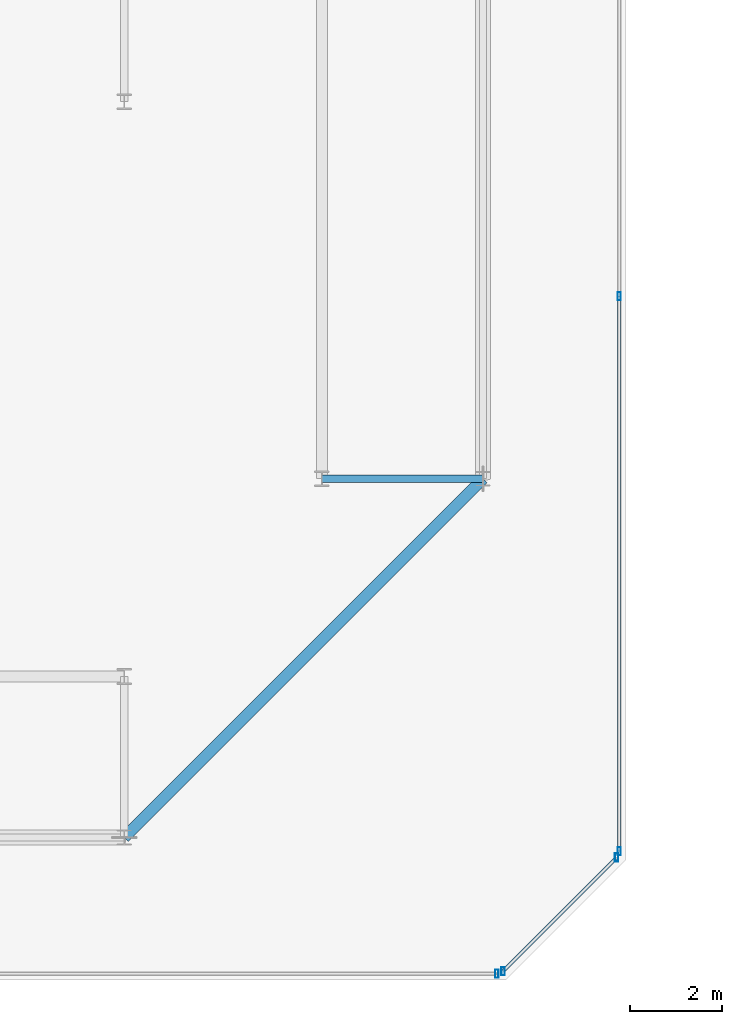
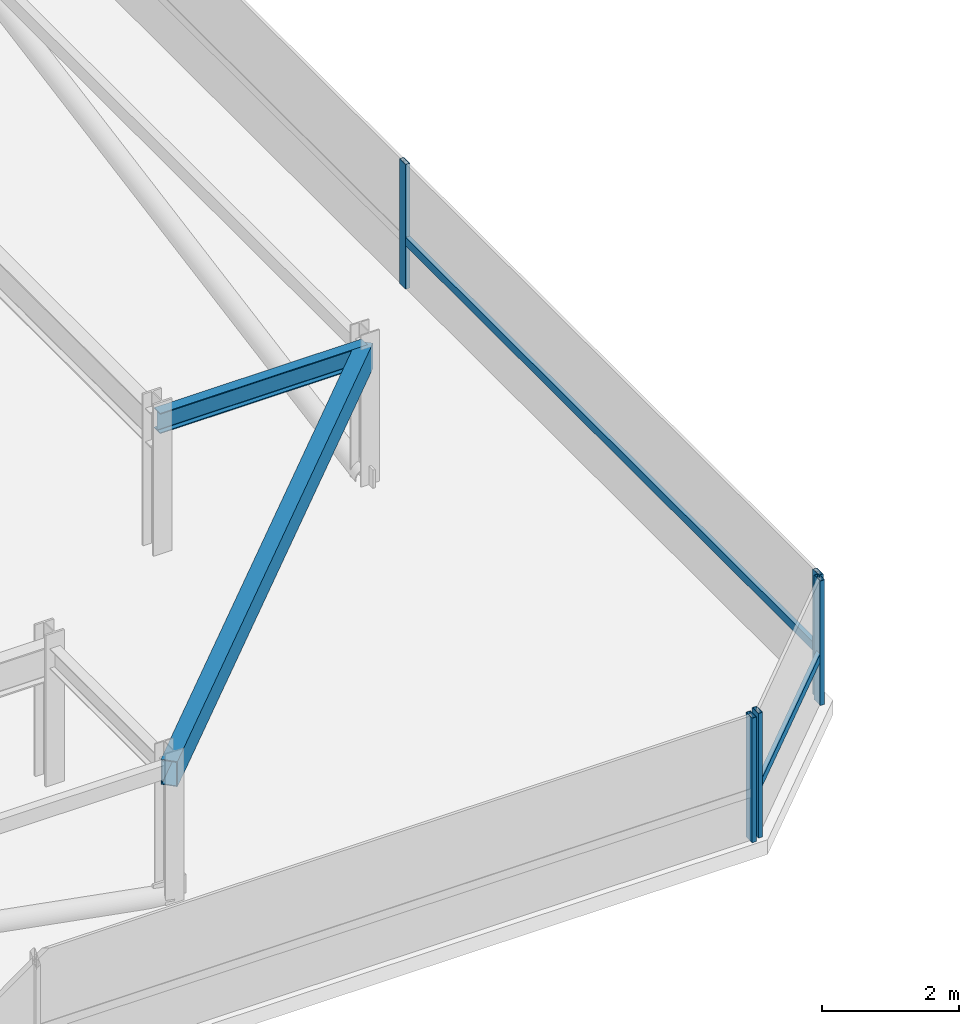
# One storey, part 16 of 42: 7 members, 2 beams, 3 elements without a shape of their own.
"""IFC4 building model written with IfcOpenShell, lengths in metres."""

from ifc_helpers import new_model, si_unit, direction, frame, origin, origin_2d, place, context, subcontext, project, spatial, hollow_rectangle, i_section, extrude, material, material_profile, profile_set, type_object, element, aggregate, save


model = new_model("IFC4")

# Units and contexts
model_context = context("Model", 3, precision=1e-05, world=origin(), true_north=direction((0.0, 1.0)))
body_context = subcontext(model_context, "Body", "Model", "MODEL_VIEW")
ifc_project = project(units=[si_unit("LENGTHUNIT", "METRE"), si_unit("AREAUNIT", "SQUARE_METRE"), si_unit("VOLUMEUNIT", "CUBIC_METRE"), si_unit("PLANEANGLEUNIT", "RADIAN"), si_unit("MASSUNIT", "GRAM", prefix="KILO")], contexts=[model_context])

# Site, building, storey
site_placement = place(None, origin())
site = spatial("IfcSite", under=ifc_project, at=site_placement, CompositionType="ELEMENT")
building_placement = place(site_placement, origin())
building = spatial("IfcBuilding", under=site, at=building_placement, Name="Thornwick Lancets Civic Towers", CompositionType="ELEMENT")
storey_placement = place(building_placement, frame((0.0, 0.0, 284.10009765625)))
storey = spatial("IfcBuildingStorey", under=building, at=storey_placement, Name="C02", CompositionType="ELEMENT", Elevation=284.10009765625)

# Beams
ifc_material_1 = material(Name="Steel S355JR", Category="steel")
ifc_material_profile_1 = material_profile(ifc_material_1, i_section(OverallWidth=0.173095703125, OverallDepth=0.36328125, WebThickness=0.009033203125, FlangeThickness=0.015625, FilletRadius=0.01025390625, at=origin_2d()), Name="UKB 356x171x67")
ifc_profile_set_1 = profile_set([ifc_material_profile_1], Name="Steel S355JR")
beam_type_1 = type_object("IfcBeamType", Name="BM_JOIST_356_67", PredefinedType="JOIST", material=ifc_profile_set_1)
beam_1_placement = place(storey_placement, frame((42.800048828125, 14.0, 2.25830078125), z_axis=(1.0, 0.0, 0.0), x_axis=(0.0, 1.0, 0.0)))
element("IfcBeam", 1, at=beam_1_placement, inside=storey, type_object=beam_type_1, Name="BM-RAD-C02-A04", PredefinedType="JOIST", context=body_context, shape_type="SweptSolid", body=[
    extrude(i_section(OverallWidth=0.173095703125, OverallDepth=0.36328125, WebThickness=0.009033203125, FlangeThickness=0.015625, FilletRadius=0.01025390625, at=origin_2d()), origin(), (0.0, 0.0, 1.0), 3.5),
])
ifc_material_profile_2 = material_profile(ifc_material_1, hollow_rectangle(XDim=0.25, YDim=0.449951171875, WallThickness=0.01611328125, at=origin_2d()), Name="RHS 450x250x16")
ifc_profile_set_2 = profile_set([ifc_material_profile_2], Name="Steel S355JR")
beam_type_2 = type_object("IfcBeamType", Name="BM_RING_RHS450", PredefinedType="BEAM", material=ifc_profile_set_2)
beam_2_placement = place(storey_placement, frame((38.5, 6.199951171875, 2.21484375), z_axis=(0.707106781187, 0.707106781187, 0.0), x_axis=(-0.707106781187, 0.707106781187, 0.0)))
element("IfcBeam", 2, at=beam_2_placement, inside=storey, type_object=beam_type_2, Name="BM-CHAMF-C02-A-C0", PredefinedType="BEAM", context=body_context, shape_type="SweptSolid", body=[
    extrude(hollow_rectangle(XDim=0.25, YDim=0.449951171875, WallThickness=0.01611328125, at=origin_2d()), origin(), (0.0, 0.0, 1.0), 11.031005859375),
])

# Curtain wall, member
ifc_material_2 = material(Name="Crown ring acoustic-louvre and glazing screen wall", Category="glass")
curtain_wall_type = type_object("IfcCurtainWallType", Name="CW_SYS_07", PredefinedType="NOTDEFINED", material=ifc_material_2)
curtain_wall_1_placement = place(storey_placement, origin())
curtain_wall_1 = element("IfcCurtainWall", 3, at=curtain_wall_1_placement, inside=storey, type_object=curtain_wall_type, Name="C02 Curtain Wall CW-C02-A-E0", PredefinedType="NOTDEFINED")
ifc_material_3 = material(Name="Thermally broken bronze aluminium S355", Category="steel")
ifc_material_profile_3 = material_profile(ifc_material_3, hollow_rectangle(XDim=0.074951171875, YDim=0.179931640625, WallThickness=0.006103515625, at=origin_2d()), Name="RHS 180x75x6")
ifc_profile_set_3 = profile_set([ifc_material_profile_3], Name="Thermally broken bronze aluminium S355")
member_type_1 = type_object("IfcMemberType", Name="CW_MUL_180", PredefinedType="MULLION", material=ifc_profile_set_3)
member_1_placement = place(storey_placement, frame((46.601318359375, 3.2353515625, 0.0), z_axis=(0.0, 0.0, 1.0), x_axis=(1.0, 0.0, 0.0)))
member_1 = element("IfcMember", 4, at=member_1_placement, type_object=member_type_1, Name="CW-C02-A-E0 Mullion 3", PredefinedType="MULLION", context=body_context, shape_type="SweptSolid", body=[
    extrude(hollow_rectangle(XDim=0.074951171875, YDim=0.179931640625, WallThickness=0.006103515625, at=origin_2d()), origin(), (0.0, 0.0, 1.0), 2.219970703125),
])
aggregate(curtain_wall_1, [member_1])

# Curtain wall, members
curtain_wall_2_placement = place(storey_placement, origin())
curtain_wall_2 = element("IfcCurtainWall", 5, at=curtain_wall_2_placement, inside=storey, type_object=curtain_wall_type, Name="C02 Curtain Wall CW-C02-A-E1", PredefinedType="NOTDEFINED")
member_2_placement = place(storey_placement, frame((46.738037109375, 3.2919921875, 0.0), z_axis=(0.0, 0.0, 1.0), x_axis=(1.0, 0.0, 0.0)))
member_2 = element("IfcMember", 6, at=member_2_placement, type_object=member_type_1, Name="CW-C02-A-E1 Mullion 0", PredefinedType="MULLION", context=body_context, shape_type="SweptSolid", body=[
    extrude(hollow_rectangle(XDim=0.074951171875, YDim=0.179931640625, WallThickness=0.006103515625, at=origin_2d()), origin(), (0.0, 0.0, 1.0), 2.219970703125),
])
member_3_placement = place(storey_placement, frame((49.2080078125, 5.761962890625, 0.0), z_axis=(0.0, 0.0, 1.0), x_axis=(1.0, 0.0, 0.0)))
member_3 = element("IfcMember", 7, at=member_3_placement, type_object=member_type_1, Name="CW-C02-A-E1 Mullion 1", PredefinedType="MULLION", context=body_context, shape_type="SweptSolid", body=[
    extrude(hollow_rectangle(XDim=0.074951171875, YDim=0.179931640625, WallThickness=0.006103515625, at=origin_2d()), origin(), (0.0, 0.0, 1.0), 2.219970703125),
])

curtain_wall_3_placement = place(storey_placement, origin())
curtain_wall_3 = element("IfcCurtainWall", 8, at=curtain_wall_3_placement, inside=storey, type_object=curtain_wall_type, Name="C02 Curtain Wall CW-C02-A-E2", PredefinedType="NOTDEFINED")
member_4_placement = place(storey_placement, frame((49.2646484375, 5.898681640625, 0.0), z_axis=(0.0, 0.0, 1.0), x_axis=(1.0, 0.0, 0.0)))
member_4 = element("IfcMember", 9, at=member_4_placement, type_object=member_type_1, Name="CW-C02-A-E2 Mullion 0", PredefinedType="MULLION", context=body_context, shape_type="SweptSolid", body=[
    extrude(hollow_rectangle(XDim=0.074951171875, YDim=0.179931640625, WallThickness=0.006103515625, at=origin_2d()), origin(), (0.0, 0.0, 1.0), 2.219970703125),
])
member_5_placement = place(storey_placement, frame((49.2646484375, 17.96630859375, 0.0), z_axis=(0.0, 0.0, 1.0), x_axis=(1.0, 0.0, 0.0)))
member_5 = element("IfcMember", 10, at=member_5_placement, type_object=member_type_1, Name="CW-C02-A-E2 Mullion 1", PredefinedType="MULLION", context=body_context, shape_type="SweptSolid", body=[
    extrude(hollow_rectangle(XDim=0.074951171875, YDim=0.179931640625, WallThickness=0.006103515625, at=origin_2d()), origin(), (0.0, 0.0, 1.0), 2.219970703125),
])

# Member
ifc_material_profile_4 = material_profile(ifc_material_3, hollow_rectangle(XDim=0.074951171875, YDim=0.14990234375, WallThickness=0.0048828125, at=origin_2d()), Name="RHS 150x75x5")
ifc_profile_set_4 = profile_set([ifc_material_profile_4], Name="Thermally broken bronze aluminium S355")
member_type_2 = type_object("IfcMemberType", Name="CW_TRN_150", PredefinedType="USERDEFINED", material=ifc_profile_set_4)
member_6_placement = place(storey_placement, frame((46.752197265625, 3.30615234375, 0.849853515625), z_axis=(0.707106781187, 0.707106781187, 0.0), x_axis=(-0.707106781187, 0.707106781187, 0.0)))
member_6 = element("IfcMember", 11, at=member_6_placement, type_object=member_type_2, Name="CW-C02-A-E1 Transom 0", ObjectType="TRANSOM", PredefinedType="USERDEFINED", context=body_context, shape_type="SweptSolid", body=[
    extrude(hollow_rectangle(XDim=0.074951171875, YDim=0.14990234375, WallThickness=0.0048828125, at=origin_2d()), origin(), (0.0, 0.0, 1.0), 3.453125),
])

aggregate(curtain_wall_2, [member_2, member_3, member_6])

member_7_placement = place(storey_placement, frame((49.2646484375, 5.918701171875, 0.849853515625), z_axis=(0.0, 1.0, 0.0), x_axis=(-1.0, 0.0, 0.0)))
member_7 = element("IfcMember", 12, at=member_7_placement, type_object=member_type_2, Name="CW-C02-A-E2 Transom 0", ObjectType="TRANSOM", PredefinedType="USERDEFINED", context=body_context, shape_type="SweptSolid", body=[
    extrude(hollow_rectangle(XDim=0.074951171875, YDim=0.14990234375, WallThickness=0.0048828125, at=origin_2d()), origin(), (0.0, 0.0, 1.0), 12.027587890625),
])

aggregate(curtain_wall_3, [member_4, member_5, member_7])

save(model, "model.ifc")
